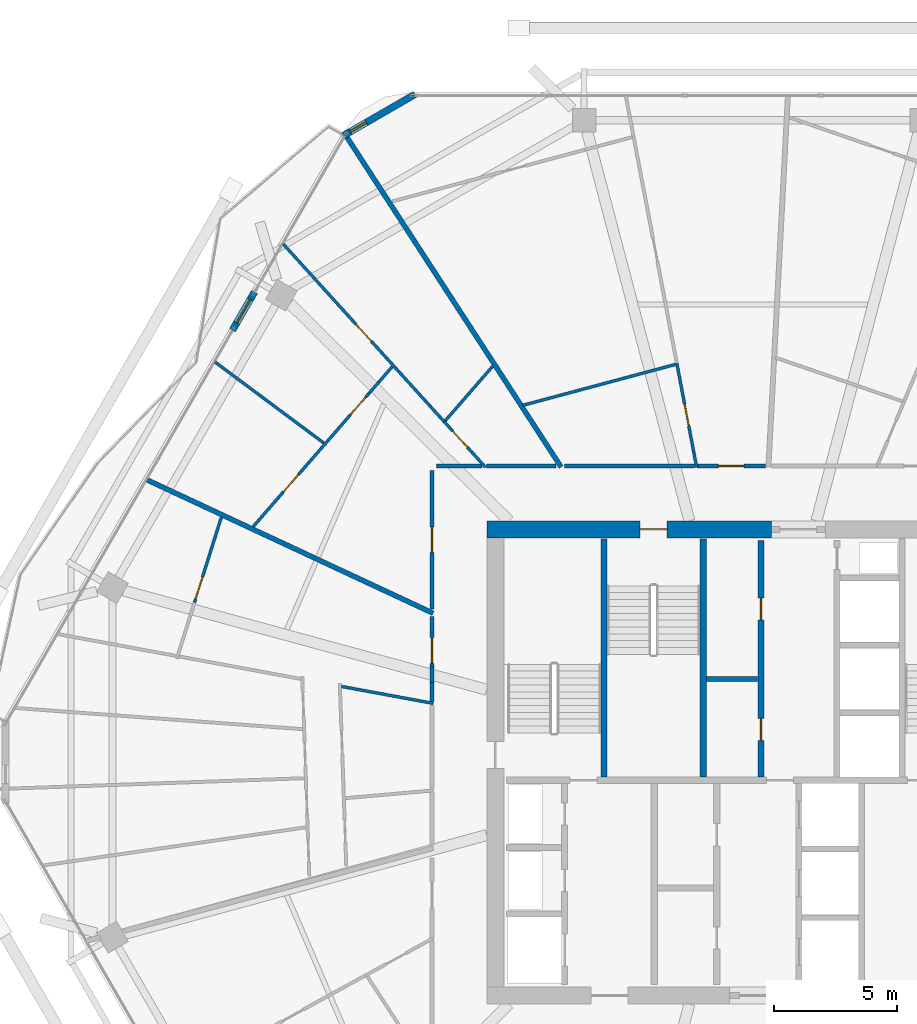
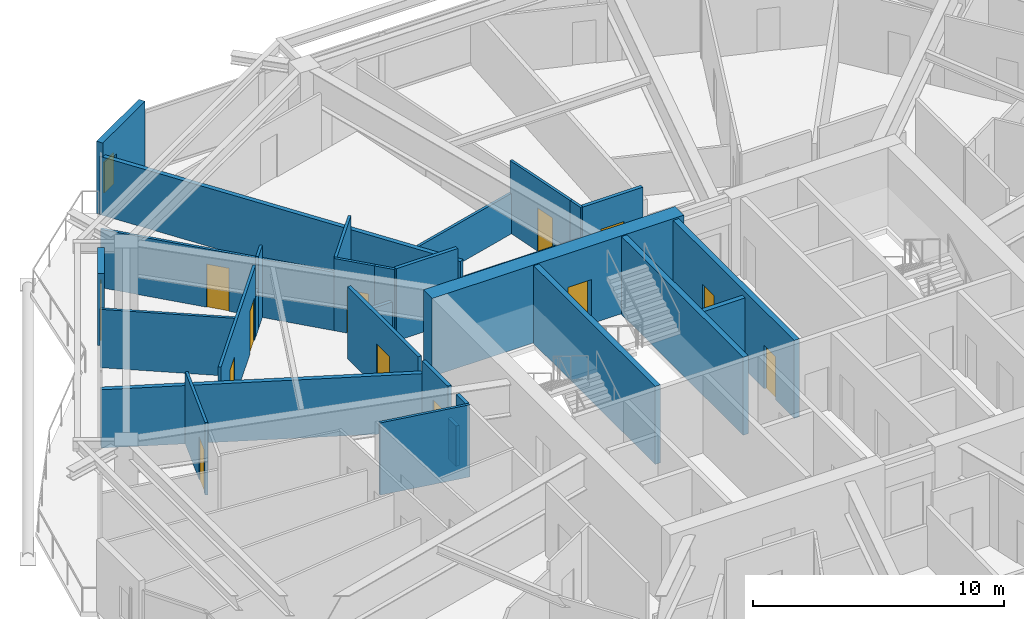
# One storey, part 23 of 28: 30 walls, 13 doors, 1 window, 14 openings.
"""IFC4 building model written with IfcOpenShell, lengths in metres."""

from ifc_helpers import new_model, si_unit, direction, frame, frame_2d, origin, place, context, subcontext, project, spatial, rectangle, extrude, material, layer, layer_set, type_object, element, fill, save


model = new_model("IFC4")

# Units and contexts
model_context = context("Model", 3, precision=1e-05, world=origin(), true_north=direction((0.0, 1.0)))
body_context = subcontext(model_context, "Body", "Model", "MODEL_VIEW")
ifc_project = project(units=[si_unit("LENGTHUNIT", "METRE"), si_unit("AREAUNIT", "SQUARE_METRE"), si_unit("VOLUMEUNIT", "CUBIC_METRE"), si_unit("PLANEANGLEUNIT", "RADIAN"), si_unit("MASSUNIT", "GRAM", prefix="KILO")], contexts=[model_context])

# Site, building, storey
site_placement = place(None, origin())
site = spatial("IfcSite", under=ifc_project, at=site_placement, CompositionType="ELEMENT")
building_placement = place(site_placement, origin())
building = spatial("IfcBuilding", under=site, at=building_placement, Name="Zuhravey Tower", CompositionType="ELEMENT")
storey_placement = place(building_placement, frame((0.0, 0.0, 222.60009765625)))
storey = spatial("IfcBuildingStorey", under=building, at=storey_placement, Name="L56", CompositionType="ELEMENT", Elevation=222.60009765625)

# Wall, opening, door
ifc_material_1 = material(Name="Concrete C60/75", Category="concrete")
ifc_layer_1 = layer(ifc_material_1, 0.699951171875)
ifc_layer_set_1 = layer_set([ifc_layer_1], Name="Concrete C60/75")
wall_type_1 = type_object("IfcWallType", Name="Core Shear Wall 700", PredefinedType="SHEAR", material=ifc_layer_set_1)
wall_1_placement = place(storey_placement, frame((36.75, 41.5, 0.0), z_axis=(0.0, 0.0, 1.0), x_axis=(-1.0, 0.0, 0.0)))
wall_1 = element("IfcWall", 1, at=wall_1_placement, inside=storey, type_object=wall_type_1, Name="L56 North-West Core Shear Wall CW70", PredefinedType="SHEAR", context=body_context, shape_type="SweptSolid", body=[
    extrude(rectangle(XDim=11.60009765625, YDim=0.699951171875, at=frame_2d((5.800048828125, 0.0))), origin(), (0.0, 0.0, 1.0), 3.7998046875),
])
opening_1_placement = place(wall_1_placement, frame((4.25, 0.0, 0.0)))
opening_1 = element("IfcOpeningElement", 2, at=opening_1_placement, cuts=wall_1, Name="Opening STD1", PredefinedType="OPENING", context=body_context, shape_type="SweptSolid", body=[
    extrude(rectangle(XDim=1.10009765625, YDim=2.14990234375, at=frame_2d((0.550048828125, 1.074951171875))), frame((0.0, 0.362060546875, 0.0), z_axis=(0.0, -1.0, 0.0), x_axis=(1.0, 0.0, 0.0)), (0.0, 0.0, 1.0), 0.723876953125),
])
ifc_material_2 = material(Name="Galvanised fire-rated steel leaf", Category="steel")
door_type_1 = type_object("IfcDoorType", Name="Protected Stair Fire Door 1100x2150", OperationType="NOTDEFINED", PredefinedType="USERDEFINED", material=ifc_material_2)
door_1_placement = place(opening_1_placement, origin())
door_1 = element("IfcDoor", 3, at=door_1_placement, inside=storey, type_object=door_type_1, Name="L56 Stair ST3 Door", ObjectType="EXITDOOR", OperationType="SINGLE_SWING_LEFT", OverallHeight=2.14990234375, OverallWidth=1.10009765625, PredefinedType="USERDEFINED", context=body_context, shape_type="SweptSolid", body=[
    extrude(rectangle(XDim=1.10009765625, YDim=2.14990234375, at=frame_2d((0.550048828125, 1.074951171875))), frame((0.0, 0.02490234375, 0.0), z_axis=(0.0, -1.0, 0.0), x_axis=(1.0, 0.0, 0.0)), (0.0, 0.0, 1.0), 0.050048828125),
])
fill(opening_1, door_1)

ifc_material_3 = material(Name="Gypsum fire-rated stud partition")
ifc_layer_2 = layer(ifc_material_3, 0.159912109375)
ifc_layer_set_2 = layer_set([ifc_layer_2], Name="Gypsum fire-rated stud partition")
wall_type_2 = type_object("IfcWallType", Name="Corridor Fire Partition 160", PredefinedType="PARTITIONING", material=ifc_layer_set_2)
wall_2_placement = place(storey_placement, frame((36.50732421875, 44.080078125, 0.0), z_axis=(0.0, 0.0, 1.0), x_axis=(-1.0, 0.0, 0.0)))
wall_2 = element("IfcWall", 4, at=wall_2_placement, inside=storey, type_object=wall_type_2, Name="L56 IW16 Partition 035", PredefinedType="PARTITIONING", context=body_context, shape_type="SweptSolid", body=[
    extrude(rectangle(XDim=2.791259765625, YDim=0.159912109375, at=frame_2d((1.3955078125, 0.0))), origin(), (0.0, 0.0, 1.0), 3.52001953125),
])
opening_2_placement = place(wall_2_placement, frame((0.87060546875, 0.0, 0.0)))
opening_2 = element("IfcOpeningElement", 5, at=opening_2_placement, cuts=wall_2, Name="Opening APD1", PredefinedType="OPENING", context=body_context, shape_type="SweptSolid", body=[
    extrude(rectangle(XDim=1.050048828125, YDim=2.14990234375, at=frame_2d((0.52490234375, 1.074951171875))), frame((0.0, 0.092041015625, 0.0), z_axis=(0.0, -1.0, 0.0), x_axis=(1.0, 0.0, 0.0)), (0.0, 0.0, 1.0), 0.183837890625),
])
ifc_material_4 = material(Name="Solid-core oak fire-rated leaf")
door_type_2 = type_object("IfcDoorType", Name="Apartment Entrance Fire Door 1050x2150", OperationType="NOTDEFINED", PredefinedType="DOOR", material=ifc_material_4)
door_2_placement = place(opening_2_placement, frame((1.050048828125, 0.0, 0.0), z_axis=(0.0, 0.0, 1.0), x_axis=(-1.0, 0.0, 0.0)))
door_2 = element("IfcDoor", 6, at=door_2_placement, inside=storey, type_object=door_type_2, Name="L56 Door 035.1", OperationType="SINGLE_SWING_LEFT", OverallHeight=2.14990234375, OverallWidth=1.050048828125, PredefinedType="DOOR", context=body_context, shape_type="SweptSolid", body=[
    extrude(rectangle(XDim=1.050048828125, YDim=2.14990234375, at=frame_2d((0.52490234375, 1.074951171875))), frame((0.0, 0.02490234375, 0.0), z_axis=(0.0, -1.0, 0.0), x_axis=(1.0, 0.0, 0.0)), (0.0, 0.0, 1.0), 0.050048828125),
])
fill(opening_2, door_2)

wall_3_placement = place(storey_placement, frame((22.919921875, 43.89990234375, 0.0), z_axis=(0.0, 0.0, 1.0), x_axis=(0.0, -1.0, 0.0)))
wall_3 = element("IfcWall", 7, at=wall_3_placement, inside=storey, type_object=wall_type_2, Name="L56 IW16 Partition 039", PredefinedType="PARTITIONING", context=body_context, shape_type="SweptSolid", body=[
    extrude(rectangle(XDim=5.638916015625, YDim=0.159912109375, at=frame_2d((2.8193359375, 0.0))), origin(), (0.0, 0.0, 1.0), 3.52001953125),
])
opening_3_placement = place(wall_3_placement, frame((2.29443359375, 0.0, 0.0)))
opening_3 = element("IfcOpeningElement", 8, at=opening_3_placement, cuts=wall_3, Name="Opening APD1", PredefinedType="OPENING", context=body_context, shape_type="SweptSolid", body=[
    extrude(rectangle(XDim=1.050048828125, YDim=2.14990234375, at=frame_2d((0.52490234375, 1.074951171875))), frame((0.0, 0.092041015625, 0.0), z_axis=(0.0, -1.0, 0.0), x_axis=(1.0, 0.0, 0.0)), (0.0, 0.0, 1.0), 0.183837890625),
])
door_3_placement = place(opening_3_placement, frame((1.050048828125, 0.0, 0.0), z_axis=(0.0, 0.0, 1.0), x_axis=(-1.0, 0.0, 0.0)))
door_3 = element("IfcDoor", 9, at=door_3_placement, inside=storey, type_object=door_type_2, Name="L56 Door 039.1", OperationType="SINGLE_SWING_RIGHT", OverallHeight=2.14990234375, OverallWidth=1.050048828125, PredefinedType="DOOR", context=body_context, shape_type="SweptSolid", body=[
    extrude(rectangle(XDim=1.050048828125, YDim=2.14990234375, at=frame_2d((0.52490234375, 1.074951171875))), frame((0.0, 0.02490234375, 0.0), z_axis=(0.0, -1.0, 0.0), x_axis=(1.0, 0.0, 0.0)), (0.0, 0.0, 1.0), 0.050048828125),
])
fill(opening_3, door_3)

wall_4_placement = place(storey_placement, frame((22.919921875, 37.93896484375, 0.0), z_axis=(0.0, 0.0, 1.0), x_axis=(0.0, -1.0, 0.0)))
wall_4 = element("IfcWall", 10, at=wall_4_placement, inside=storey, type_object=wall_type_2, Name="L56 IW16 Partition 043", PredefinedType="PARTITIONING", context=body_context, shape_type="SweptSolid", body=[
    extrude(rectangle(XDim=2.046142578125, YDim=0.159912109375, at=frame_2d((1.02294921875, 0.0))), origin(), (0.0, 0.0, 1.0), 3.52001953125),
])
opening_4_placement = place(wall_4_placement, frame((0.856201171875, 0.0, 0.0)))
opening_4 = element("IfcOpeningElement", 11, at=opening_4_placement, cuts=wall_4, Name="Opening APD1", PredefinedType="OPENING", context=body_context, shape_type="SweptSolid", body=[
    extrude(rectangle(XDim=1.050048828125, YDim=2.14990234375, at=frame_2d((0.52490234375, 1.074951171875))), frame((0.0, 0.092041015625, 0.0), z_axis=(0.0, -1.0, 0.0), x_axis=(1.0, 0.0, 0.0)), (0.0, 0.0, 1.0), 0.183837890625),
])
door_4_placement = place(opening_4_placement, frame((1.050048828125, 0.0, 0.0), z_axis=(0.0, 0.0, 1.0), x_axis=(-1.0, 0.0, 0.0)))
door_4 = element("IfcDoor", 12, at=door_4_placement, inside=storey, type_object=door_type_2, Name="L56 Door 043.1", OperationType="SINGLE_SWING_RIGHT", OverallHeight=2.14990234375, OverallWidth=1.050048828125, PredefinedType="DOOR", context=body_context, shape_type="SweptSolid", body=[
    extrude(rectangle(XDim=1.050048828125, YDim=2.14990234375, at=frame_2d((0.52490234375, 1.074951171875))), frame((0.0, 0.02490234375, 0.0), z_axis=(0.0, -1.0, 0.0), x_axis=(1.0, 0.0, 0.0)), (0.0, 0.0, 1.0), 0.050048828125),
])
fill(opening_4, door_4)

# Walls
wall_5_placement = place(storey_placement, frame((22.919921875, 35.892822265625, 0.0), z_axis=(0.0, 0.0, 1.0), x_axis=(0.0, -1.0, 0.0)))
element("IfcWall", 13, at=wall_5_placement, inside=storey, type_object=wall_type_2, Name="L56 IW16 Partition 105", PredefinedType="PARTITIONING", context=body_context, shape_type="SweptSolid", body=[
    extrude(rectangle(XDim=0.644775390625, YDim=0.159912109375, at=frame_2d((0.322265625, 0.0))), origin(), (0.0, 0.0, 1.0), 1.969970703125),
])
wall_6_placement = place(storey_placement, frame((22.919921875, 35.248046875, 0.0), z_axis=(0.0, 0.0, 1.0), x_axis=(0.0, -1.0, 0.0)))
element("IfcWall", 14, at=wall_6_placement, inside=storey, type_object=wall_type_2, Name="L56 IW16 Partition 106", PredefinedType="PARTITIONING", context=body_context, shape_type="SweptSolid", body=[
    extrude(rectangle(XDim=0.76416015625, YDim=0.159912109375, at=frame_2d((0.382080078125, 0.0))), origin(), (0.0, 0.0, 1.0), 3.52001953125),
])
wall_7_placement = place(storey_placement, frame((33.62646484375, 44.080078125, 0.0), z_axis=(0.0, 0.0, 1.0), x_axis=(-1.0, 0.0, 0.0)))
element("IfcWall", 15, at=wall_7_placement, inside=storey, type_object=wall_type_2, Name="L56 IW16 Partition 136", PredefinedType="PARTITIONING", context=body_context, shape_type="SweptSolid", body=[
    extrude(rectangle(XDim=5.298583984375, YDim=0.159912109375, at=frame_2d((2.6494140625, 0.0))), origin(), (0.0, 0.0, 1.0), 1.969970703125),
])
wall_8_placement = place(storey_placement, frame((24.96240234375, 44.080078125, 0.0), z_axis=(0.0, 0.0, 1.0), x_axis=(-1.0, 0.0, 0.0)))
element("IfcWall", 16, at=wall_8_placement, inside=storey, type_object=wall_type_2, Name="L56 IW16 Partition 137", PredefinedType="PARTITIONING", context=body_context, shape_type="SweptSolid", body=[
    extrude(rectangle(XDim=1.8623046875, YDim=0.159912109375, at=frame_2d((0.93115234375, 0.0))), origin(), (0.0, 0.0, 1.0), 1.969970703125),
])
wall_9_placement = place(storey_placement, frame((27.98046875, 44.080078125, 0.0), z_axis=(0.0, 0.0, 1.0), x_axis=(-1.0, 0.0, 0.0)))
element("IfcWall", 17, at=wall_9_placement, inside=storey, type_object=wall_type_2, Name="L56 IW16 Partition 138", PredefinedType="PARTITIONING", context=body_context, shape_type="SweptSolid", body=[
    extrude(rectangle(XDim=2.835693359375, YDim=0.159912109375, at=frame_2d((1.41796875, 0.0))), origin(), (0.0, 0.0, 1.0), 3.52001953125),
])

# Wall, opening, door
ifc_material_5 = material(Name="Precast concrete C40/50", Category="concrete")
ifc_layer_3 = layer(ifc_material_5, 0.280029296875)
ifc_layer_set_3 = layer_set([ifc_layer_3], Name="Precast concrete C40/50")
wall_type_3 = type_object("IfcWallType", Name="Crown Architectural Wall 280", PredefinedType="SOLIDWALL", material=ifc_layer_set_3)
wall_10_placement = place(storey_placement, frame((14.784912109375, 49.620361328125, 0.0), z_axis=(0.0, 0.0, 1.0), x_axis=(0.49987987985, 0.866094744079, 0.0)))
wall_10 = element("IfcWall", 18, at=wall_10_placement, inside=storey, type_object=wall_type_3, Name="L56 Face 3 Facade Pier EW28-1", PredefinedType="SOLIDWALL", context=body_context, shape_type="SweptSolid", body=[
    extrude(rectangle(XDim=1.7900390625, YDim=0.280029296875, at=frame_2d((0.89501953125, 0.0))), origin(), (0.0, 0.0, 1.0), 3.52001953125),
])
opening_5_placement = place(wall_10_placement, frame((0.344970703125, 0.0, 0.0)))
opening_5 = element("IfcOpeningElement", 19, at=opening_5_placement, cuts=wall_10, Name="Opening BLD1", PredefinedType="OPENING", context=body_context, shape_type="SweptSolid", body=[
    extrude(rectangle(XDim=1.10009765625, YDim=2.199951171875, at=frame_2d((0.550048828125, 1.10009765625))), frame((0.0, 0.152099609375, 0.0), z_axis=(0.0, -1.0, 0.0), x_axis=(1.0, 0.0, 0.0)), (0.0, 0.0, 1.0), 0.303955078125),
])
ifc_material_6 = material(Name="Thermally broken aluminium and low-E glass", Category="aluminium")
door_type_3 = type_object("IfcDoorType", Name="Balcony & Sky-Tray Glazed Door 1100x2200", OperationType="NOTDEFINED", PredefinedType="DOOR", material=ifc_material_6)
door_5_placement = place(opening_5_placement, frame((1.10009765625, 0.0, 0.0), z_axis=(0.0, 0.0, 1.0), x_axis=(-1.0, 0.0, 0.0)))
door_5 = element("IfcDoor", 20, at=door_5_placement, inside=storey, type_object=door_type_3, Name="L56 Face 3 Wave Balcony Door", OperationType="SINGLE_SWING_RIGHT", OverallHeight=2.199951171875, OverallWidth=1.10009765625, PredefinedType="DOOR", context=body_context, shape_type="SweptSolid", body=[
    extrude(rectangle(XDim=1.10009765625, YDim=2.199951171875, at=frame_2d((0.550048828125, 1.10009765625))), frame((0.0, 0.02490234375, 0.0), z_axis=(0.0, -1.0, 0.0), x_axis=(1.0, 0.0, 0.0)), (0.0, 0.0, 1.0), 0.050048828125),
])
fill(opening_5, door_5)

# Wall, opening, window
wall_11_placement = place(storey_placement, frame((19.306884765625, 57.548095703125, 0.0), z_axis=(0.0, 0.0, 1.0), x_axis=(0.866020068361, 0.500009241111, 0.0)))
wall_11 = element("IfcWall", 21, at=wall_11_placement, inside=storey, type_object=wall_type_3, Name="L56 Rounded Corner Closure Wall EW28-08", PredefinedType="SOLIDWALL", context=body_context, shape_type="SweptSolid", body=[
    extrude(rectangle(XDim=3.365234375, YDim=0.280029296875, at=frame_2d((1.6826171875, 0.0))), origin(), (0.0, 0.0, 1.0), 3.52001953125),
])
opening_6_placement = place(wall_11_placement, frame((0.326416015625, 0.0, 0.85009765625)))
opening_6 = element("IfcOpeningElement", 22, at=opening_6_placement, cuts=wall_11, Name="Opening WN5", PredefinedType="OPENING", context=body_context, shape_type="SweptSolid", body=[
    extrude(rectangle(XDim=0.75, YDim=1.5, at=frame_2d((0.375, 0.75))), frame((0.0, 0.152099609375, 0.0), z_axis=(0.0, -1.0, 0.0), x_axis=(1.0, 0.0, 0.0)), (0.0, 0.0, 1.0), 0.303955078125),
])
ifc_material_7 = material(Name="Thermally broken aluminium and triple low-E glass", Category="aluminium")
window_type = type_object("IfcWindowType", Name="Residential Corner Casement Window 750x1500", PartitioningType="SINGLE_PANEL", PredefinedType="WINDOW", material=ifc_material_7)
window_placement = place(opening_6_placement, origin())
window = element("IfcWindow", 23, at=window_placement, inside=storey, type_object=window_type, Name="L56 Corner Casement Window WN5-08.1", OverallHeight=1.5, OverallWidth=0.75, PartitioningType="SINGLE_PANEL", PredefinedType="WINDOW", context=body_context, shape_type="SweptSolid", body=[
    extrude(rectangle(XDim=0.75, YDim=1.5, at=frame_2d((0.375, 0.75))), frame((0.0, 0.030029296875, 0.0), z_axis=(0.0, -1.0, 0.0), x_axis=(1.0, 0.0, 0.0)), (0.0, 0.0, 1.0), 0.06005859375),
])
fill(opening_6, window)

# Walls
ifc_material_8 = material(Name="Concrete C50/60", Category="concrete")
ifc_layer_4 = layer(ifc_material_8, 0.25)
ifc_layer_set_4 = layer_set([ifc_layer_4], Name="Concrete C50/60")
wall_type_4 = type_object("IfcWallType", Name="Firefighting Shaft & Stair Wall 250", PredefinedType="SOLIDWALL", material=ifc_layer_set_4)
for number, where, z_axis, x_axis, name in (
    (24, (29.925048828125, 31.39990234375, 0.0), (0.0, 0.0, 1.0), (0.0, 1.0, 0.0), "L56 FW25 Shaft Wall 004"),
    (25, (33.97509765625, 31.39990234375, 0.0), (0.0, 0.0, 1.0), (0.0, 1.0, 0.0), "L56 FW25 Shaft Wall 005"),
):
    element("IfcWall", number, at=place(storey_placement, frame(where, z_axis=z_axis, x_axis=x_axis)), inside=storey, type_object=wall_type_4, Name=name, PredefinedType="SOLIDWALL", context=body_context, shape_type="SweptSolid", body=[
        extrude(rectangle(XDim=9.7001953125, YDim=0.25, at=frame_2d((4.85009765625, 0.0))), origin(), (0.0, 0.0, 1.0), 3.7998046875),
    ])

# Wall, openings, doors
wall_12_placement = place(storey_placement, frame((36.324951171875, 31.39990234375, 0.0), z_axis=(0.0, 0.0, 1.0), x_axis=(0.0, 1.0, 0.0)))
wall_12 = element("IfcWall", 26, at=wall_12_placement, inside=storey, type_object=wall_type_4, Name="L56 FW25 Shaft Wall 007", PredefinedType="SOLIDWALL", context=body_context, shape_type="SweptSolid", body=[
    extrude(rectangle(XDim=9.650146484375, YDim=0.25, at=frame_2d((4.8251953125, 0.0))), origin(), (0.0, 0.0, 1.0), 3.7998046875),
])
opening_7_placement = place(wall_12_placement, frame((1.489990234375, 0.0, 0.0)))
opening_7 = element("IfcOpeningElement", 27, at=opening_7_placement, cuts=wall_12, Name="Opening RSD1", PredefinedType="OPENING", context=body_context, shape_type="SweptSolid", body=[
    extrude(rectangle(XDim=0.89990234375, YDim=2.10009765625, at=frame_2d((0.449951171875, 1.050048828125))), frame((0.0, 0.136962890625, 0.0), z_axis=(0.0, -1.0, 0.0), x_axis=(1.0, 0.0, 0.0)), (0.0, 0.0, 1.0), 0.27392578125),
])
opening_8_placement = place(wall_12_placement, frame((6.409912109375, 0.0, 0.0)))
opening_8 = element("IfcOpeningElement", 28, at=opening_8_placement, cuts=wall_12, Name="Opening RSD1", PredefinedType="OPENING", context=body_context, shape_type="SweptSolid", body=[
    extrude(rectangle(XDim=0.89990234375, YDim=2.10009765625, at=frame_2d((0.449951171875, 1.050048828125))), frame((0.0, 0.136962890625, 0.0), z_axis=(0.0, -1.0, 0.0), x_axis=(1.0, 0.0, 0.0)), (0.0, 0.0, 1.0), 0.27392578125),
])
ifc_material_9 = material(Name="Galvanised fire-rated steel access leaf", Category="steel")
door_type_4 = type_object("IfcDoorType", Name="Riser & Shaft Access Fire Door 900x2100", OperationType="NOTDEFINED", PredefinedType="DOOR", material=ifc_material_9)
door_6_placement = place(opening_7_placement, origin())
door_6 = element("IfcDoor", 29, at=door_6_placement, inside=storey, type_object=door_type_4, Name="L56 Core Cleaner Store Door", OperationType="SINGLE_SWING_LEFT", OverallHeight=2.10009765625, OverallWidth=0.89990234375, PredefinedType="DOOR", context=body_context, shape_type="SweptSolid", body=[
    extrude(rectangle(XDim=0.89990234375, YDim=2.10009765625, at=frame_2d((0.449951171875, 1.050048828125))), frame((0.0, 0.02490234375, 0.0), z_axis=(0.0, -1.0, 0.0), x_axis=(1.0, 0.0, 0.0)), (0.0, 0.0, 1.0), 0.050048828125),
])
fill(opening_7, door_6)
door_7_placement = place(opening_8_placement, origin())
door_7 = element("IfcDoor", 30, at=door_7_placement, inside=storey, type_object=door_type_4, Name="L56 Core Pantry and Tea Room Door", OperationType="SINGLE_SWING_RIGHT", OverallHeight=2.10009765625, OverallWidth=0.89990234375, PredefinedType="DOOR", context=body_context, shape_type="SweptSolid", body=[
    extrude(rectangle(XDim=0.89990234375, YDim=2.10009765625, at=frame_2d((0.449951171875, 1.050048828125))), frame((0.0, 0.02490234375, 0.0), z_axis=(0.0, -1.0, 0.0), x_axis=(1.0, 0.0, 0.0)), (0.0, 0.0, 1.0), 0.050048828125),
])
fill(opening_8, door_7)

# Walls
ifc_material_10 = material(Name="Gypsum double-stud party assembly")
ifc_layer_5 = layer(ifc_material_10, 0.199951171875)
ifc_layer_set_5 = layer_set([ifc_layer_5], Name="Gypsum double-stud party assembly")
wall_type_5 = type_object("IfcWallType", Name="Inter-Tenancy Party Wall 200", PredefinedType="PARTITIONING", material=ifc_layer_set_5)
wall_13_placement = place(storey_placement, frame((28.18115234375, 44.0400390625, 0.0), z_axis=(0.0, 0.0, 1.0), x_axis=(-0.54463871909, 0.838670773109, 0.0)))
element("IfcWall", 31, at=wall_13_placement, inside=storey, type_object=wall_type_5, Name="L56 IW20 Partition 089", PredefinedType="PARTITIONING", context=body_context, shape_type="SweptSolid", body=[
    extrude(rectangle(XDim=16.152099609375, YDim=0.199951171875, at=frame_2d((8.076171875, 0.0))), origin(), (0.0, 0.0, 1.0), 2.83984375),
])
wall_14_placement = place(storey_placement, frame((22.9599609375, 38.080810546875, 0.0), z_axis=(0.0, 0.0, 1.0), x_axis=(-0.906312686975, 0.422607753629, 0.0)))
element("IfcWall", 32, at=wall_14_placement, inside=storey, type_object=wall_type_5, Name="L56 IW20 Partition 095", PredefinedType="PARTITIONING", context=body_context, shape_type="SweptSolid", body=[
    extrude(rectangle(XDim=12.89892578125, YDim=0.199951171875, at=frame_2d((6.449462890625, 0.0))), origin(), (0.0, 0.0, 1.0), 2.83984375),
])
ifc_material_11 = material(Name="Gypsum acoustic stud assembly")
ifc_layer_6 = layer(ifc_material_11, 0.219970703125)
ifc_layer_set_6 = layer_set([ifc_layer_6], Name="Gypsum acoustic stud assembly")
wall_type_6 = type_object("IfcWallType", Name="School Acoustic Compartment Wall 220", PredefinedType="PARTITIONING", material=ifc_layer_set_6)
wall_15_placement = place(storey_placement, frame((34.10791015625, 35.39990234375, 0.0), z_axis=(0.0, 0.0, 1.0), x_axis=(1.0, 0.0, 0.0)))
element("IfcWall", 33, at=wall_15_placement, inside=storey, type_object=wall_type_6, Name="L56 IW22 Partition 063", PredefinedType="PARTITIONING", context=body_context, shape_type="SweptSolid", body=[
    extrude(rectangle(XDim=2.083984375, YDim=0.219970703125, at=frame_2d((1.0419921875, 0.0))), origin(), (0.0, 0.0, 1.0), 3.52001953125),
])

# Wall, opening, door
ifc_material_12 = material(Name="Gypsum metal-stud partition")
ifc_layer_7 = layer(ifc_material_12, 0.1201171875)
ifc_layer_set_7 = layer_set([ifc_layer_7], Name="Gypsum metal-stud partition")
wall_type_7 = type_object("IfcWallType", Name="Unit Internal Partition 120", PredefinedType="PARTITIONING", material=ifc_layer_set_7)
wall_16_placement = place(storey_placement, frame((33.5869140625, 44.64990234375, 0.0), z_axis=(0.0, 0.0, 1.0), x_axis=(-0.187380416109, 0.982287422122, 0.0)))
wall_16 = element("IfcWall", 34, at=wall_16_placement, inside=storey, type_object=wall_type_7, Name="L56 IW12 Partition 032", PredefinedType="PARTITIONING", context=body_context, shape_type="SweptSolid", body=[
    extrude(rectangle(XDim=3.679443359375, YDim=0.1201171875, at=frame_2d((1.83984375, 0.0))), origin(), (0.0, 0.0, 1.0), 3.52001953125),
])
opening_9_placement = place(wall_16_placement, frame((1.09521484375, 0.0, 0.0)))
opening_9 = element("IfcOpeningElement", 35, at=opening_9_placement, cuts=wall_16, Name="Opening WCD1", PredefinedType="OPENING", context=body_context, shape_type="SweptSolid", body=[
    extrude(rectangle(XDim=0.89990234375, YDim=2.10009765625, at=frame_2d((0.449951171875, 1.050048828125))), frame((0.0, 0.072021484375, 0.0), z_axis=(0.0, -1.0, 0.0), x_axis=(1.0, 0.0, 0.0)), (0.0, 0.0, 1.0), 0.14404296875),
])
ifc_material_13 = material(Name="Moisture-resistant timber leaf", Category="wood")
door_type_5 = type_object("IfcDoorType", Name="Bathroom & WC Internal Door 900x2100", OperationType="NOTDEFINED", PredefinedType="DOOR", material=ifc_material_13)
door_8_placement = place(opening_9_placement, origin())
door_8 = element("IfcDoor", 36, at=door_8_placement, inside=storey, type_object=door_type_5, Name="Apartment L56-03 Bathroom Door", OperationType="SINGLE_SWING_RIGHT", OverallHeight=2.10009765625, OverallWidth=0.89990234375, PredefinedType="DOOR", context=body_context, shape_type="SweptSolid", body=[
    extrude(rectangle(XDim=0.89990234375, YDim=2.10009765625, at=frame_2d((0.449951171875, 1.050048828125))), frame((0.0, 0.02490234375, 0.0), z_axis=(0.0, -1.0, 0.0), x_axis=(1.0, 0.0, 0.0)), (0.0, 0.0, 1.0), 0.050048828125),
])
fill(opening_9, door_8)

# Wall, openings, doors
wall_17_placement = place(storey_placement, frame((20.370361328125, 47.066162109375, 0.0), z_axis=(0.0, 0.0, 1.0), x_axis=(-0.65605168131, -0.754715967401, 0.0)))
wall_17 = element("IfcWall", 37, at=wall_17_placement, inside=storey, type_object=wall_type_7, Name="L56 IW12 Partition 036", PredefinedType="PARTITIONING", context=body_context, shape_type="SweptSolid", body=[
    extrude(rectangle(XDim=7.23291015625, YDim=0.1201171875, at=frame_2d((3.616455078125, 0.0))), origin(), (0.0, 0.0, 1.0), 3.52001953125),
])
opening_10_placement = place(wall_17_placement, frame((0.23779296875, 0.0, 0.0)))
opening_10 = element("IfcOpeningElement", 38, at=opening_10_placement, cuts=wall_17, Name="Opening IND1", PredefinedType="OPENING", context=body_context, shape_type="SweptSolid", body=[
    extrude(rectangle(XDim=0.949951171875, YDim=2.10009765625, at=frame_2d((0.47509765625, 1.050048828125))), frame((0.0, 0.072021484375, 0.0), z_axis=(0.0, -1.0, 0.0), x_axis=(1.0, 0.0, 0.0)), (0.0, 0.0, 1.0), 0.14404296875),
])
opening_11_placement = place(wall_17_placement, frame((4.40234375, 0.0, 0.0)))
opening_11 = element("IfcOpeningElement", 39, at=opening_11_placement, cuts=wall_17, Name="Opening IND1", PredefinedType="OPENING", context=body_context, shape_type="SweptSolid", body=[
    extrude(rectangle(XDim=0.949951171875, YDim=2.10009765625, at=frame_2d((0.47509765625, 1.050048828125))), frame((0.0, 0.072021484375, 0.0), z_axis=(0.0, -1.0, 0.0), x_axis=(1.0, 0.0, 0.0)), (0.0, 0.0, 1.0), 0.14404296875),
])
ifc_material_14 = material(Name="Painted engineered timber leaf", Category="wood")
door_type_6 = type_object("IfcDoorType", Name="Internal Room & Bedroom Door 950x2100", OperationType="NOTDEFINED", PredefinedType="DOOR", material=ifc_material_14)
door_9_placement = place(opening_10_placement, frame((0.949951171875, 0.0, 0.0), z_axis=(0.0, 0.0, 1.0), x_axis=(-1.0, 0.0, 0.0)))
door_9 = element("IfcDoor", 40, at=door_9_placement, inside=storey, type_object=door_type_6, Name="Apartment L56-04 Family Study Door", OperationType="SINGLE_SWING_RIGHT", OverallHeight=2.10009765625, OverallWidth=0.949951171875, PredefinedType="DOOR", context=body_context, shape_type="SweptSolid", body=[
    extrude(rectangle(XDim=0.949951171875, YDim=2.10009765625, at=frame_2d((0.47509765625, 1.050048828125))), frame((0.0, 0.02490234375, 0.0), z_axis=(0.0, -1.0, 0.0), x_axis=(1.0, 0.0, 0.0)), (0.0, 0.0, 1.0), 0.050048828125),
])
fill(opening_10, door_9)
door_10_placement = place(opening_11_placement, frame((0.949951171875, 0.0, 0.0), z_axis=(0.0, 0.0, 1.0), x_axis=(-1.0, 0.0, 0.0)))
door_10 = element("IfcDoor", 41, at=door_10_placement, inside=storey, type_object=door_type_6, Name="Apartment L56-04 Dining Room Door", OperationType="SINGLE_SWING_LEFT", OverallHeight=2.10009765625, OverallWidth=0.949951171875, PredefinedType="DOOR", context=body_context, shape_type="SweptSolid", body=[
    extrude(rectangle(XDim=0.949951171875, YDim=2.10009765625, at=frame_2d((0.47509765625, 1.050048828125))), frame((0.0, 0.02490234375, 0.0), z_axis=(0.0, -1.0, 0.0), x_axis=(1.0, 0.0, 0.0)), (0.0, 0.0, 1.0), 0.050048828125),
])
fill(opening_11, door_10)

# Wall, opening, door
wall_18_placement = place(storey_placement, frame((24.53759765625, 44.64990234375, 0.0), z_axis=(0.0, 0.0, 1.0), x_axis=(-0.671412772052, 0.741083591456, 0.0)))
wall_18 = element("IfcWall", 42, at=wall_18_placement, inside=storey, type_object=wall_type_7, Name="L56 IW12 Partition 037", PredefinedType="PARTITIONING", context=body_context, shape_type="SweptSolid", body=[
    extrude(rectangle(XDim=1.68896484375, YDim=0.1201171875, at=frame_2d((0.844482421875, 0.0))), origin(), (0.0, 0.0, 1.0), 3.52001953125),
])
opening_12_placement = place(wall_18_placement, frame((0.259521484375, 0.0, 0.0)))
opening_12 = element("IfcOpeningElement", 43, at=opening_12_placement, cuts=wall_18, Name="Opening WCD1", PredefinedType="OPENING", context=body_context, shape_type="SweptSolid", body=[
    extrude(rectangle(XDim=0.89990234375, YDim=2.10009765625, at=frame_2d((0.449951171875, 1.050048828125))), frame((0.0, 0.072021484375, 0.0), z_axis=(0.0, -1.0, 0.0), x_axis=(1.0, 0.0, 0.0)), (0.0, 0.0, 1.0), 0.14404296875),
])
door_11_placement = place(opening_12_placement, frame((0.89990234375, 0.0, 0.0), z_axis=(0.0, 0.0, 1.0), x_axis=(-1.0, 0.0, 0.0)))
door_11 = element("IfcDoor", 44, at=door_11_placement, inside=storey, type_object=door_type_5, Name="Apartment L56-04 Bathroom Door", OperationType="SINGLE_SWING_RIGHT", OverallHeight=2.10009765625, OverallWidth=0.89990234375, PredefinedType="DOOR", context=body_context, shape_type="SweptSolid", body=[
    extrude(rectangle(XDim=0.89990234375, YDim=2.10009765625, at=frame_2d((0.449951171875, 1.050048828125))), frame((0.0, 0.02490234375, 0.0), z_axis=(0.0, -1.0, 0.0), x_axis=(1.0, 0.0, 0.0)), (0.0, 0.0, 1.0), 0.050048828125),
])
fill(opening_12, door_11)

wall_19_placement = place(storey_placement, frame((23.403564453125, 45.901611328125, 0.0), z_axis=(0.0, 0.0, 1.0), x_axis=(-0.671455295826, 0.74104506321, 0.0)))
wall_19 = element("IfcWall", 45, at=wall_19_placement, inside=storey, type_object=wall_type_7, Name="L56 IW12 Partition 038", PredefinedType="PARTITIONING", context=body_context, shape_type="SweptSolid", body=[
    extrude(rectangle(XDim=9.798583984375, YDim=0.1201171875, at=frame_2d((4.8994140625, 0.0))), origin(), (0.0, 0.0, 1.0), 2.83984375),
])
opening_13_placement = place(wall_19_placement, frame((4.399169921875, 0.0, 0.0)))
opening_13 = element("IfcOpeningElement", 46, at=opening_13_placement, cuts=wall_19, Name="Opening IND1", PredefinedType="OPENING", context=body_context, shape_type="SweptSolid", body=[
    extrude(rectangle(XDim=0.949951171875, YDim=2.10009765625, at=frame_2d((0.47509765625, 1.050048828125))), frame((0.0, 0.072021484375, 0.0), z_axis=(0.0, -1.0, 0.0), x_axis=(1.0, 0.0, 0.0)), (0.0, 0.0, 1.0), 0.14404296875),
])
door_12_placement = place(opening_13_placement, frame((0.949951171875, 0.0, 0.0), z_axis=(0.0, 0.0, 1.0), x_axis=(-1.0, 0.0, 0.0)))
door_12 = element("IfcDoor", 47, at=door_12_placement, inside=storey, type_object=door_type_6, Name="Apartment L56-04 Kitchen Door", OperationType="SINGLE_SWING_LEFT", OverallHeight=2.10009765625, OverallWidth=0.949951171875, PredefinedType="DOOR", context=body_context, shape_type="SweptSolid", body=[
    extrude(rectangle(XDim=0.949951171875, YDim=2.10009765625, at=frame_2d((0.47509765625, 1.050048828125))), frame((0.0, 0.02490234375, 0.0), z_axis=(0.0, -1.0, 0.0), x_axis=(1.0, 0.0, 0.0)), (0.0, 0.0, 1.0), 0.050048828125),
])
fill(opening_13, door_12)

wall_20_placement = place(storey_placement, frame((14.328125, 41.986328125, 0.0), z_axis=(0.0, 0.0, 1.0), x_axis=(-0.300356081916, -0.953827145795, 0.0)))
wall_20 = element("IfcWall", 48, at=wall_20_placement, inside=storey, type_object=wall_type_7, Name="L56 IW12 Partition 040", PredefinedType="PARTITIONING", context=body_context, shape_type="SweptSolid", body=[
    extrude(rectangle(XDim=3.632568359375, YDim=0.1201171875, at=frame_2d((1.81640625, 0.0))), origin(), (0.0, 0.0, 1.0), 3.52001953125),
])
opening_14_placement = place(wall_20_placement, frame((2.54052734375, 0.0, 0.0)))
opening_14 = element("IfcOpeningElement", 49, at=opening_14_placement, cuts=wall_20, Name="Opening IND1", PredefinedType="OPENING", context=body_context, shape_type="SweptSolid", body=[
    extrude(rectangle(XDim=0.949951171875, YDim=2.10009765625, at=frame_2d((0.47509765625, 1.050048828125))), frame((0.0, 0.072021484375, 0.0), z_axis=(0.0, -1.0, 0.0), x_axis=(1.0, 0.0, 0.0)), (0.0, 0.0, 1.0), 0.14404296875),
])
door_13_placement = place(opening_14_placement, frame((0.949951171875, 0.0, 0.0), z_axis=(0.0, 0.0, 1.0), x_axis=(-1.0, 0.0, 0.0)))
door_13 = element("IfcDoor", 50, at=door_13_placement, inside=storey, type_object=door_type_6, Name="Apartment L56-05 Family Study Door", OperationType="SINGLE_SWING_LEFT", OverallHeight=2.10009765625, OverallWidth=0.949951171875, PredefinedType="DOOR", context=body_context, shape_type="SweptSolid", body=[
    extrude(rectangle(XDim=0.949951171875, YDim=2.10009765625, at=frame_2d((0.47509765625, 1.050048828125))), frame((0.0, 0.02490234375, 0.0), z_axis=(0.0, -1.0, 0.0), x_axis=(1.0, 0.0, 0.0)), (0.0, 0.0, 1.0), 0.050048828125),
])
fill(opening_14, door_13)

# Walls
wall_21_placement = place(storey_placement, frame((33.7041015625, 44.035400390625, 0.0), z_axis=(0.0, 0.0, 1.0), x_axis=(-0.187327304351, 0.982297552193, 0.0)))
element("IfcWall", 51, at=wall_21_placement, inside=storey, type_object=wall_type_7, Name="L56 IW12 Partition 084", PredefinedType="PARTITIONING", context=body_context, shape_type="SweptSolid", body=[
    extrude(rectangle(XDim=0.62548828125, YDim=0.1201171875, at=frame_2d((0.312744140625, 0.0))), origin(), (0.0, 0.0, 1.0), 3.52001953125),
])
wall_22_placement = place(storey_placement, frame((32.836181640625, 48.221923828125, 0.0), z_axis=(0.0, 0.0, 1.0), x_axis=(-0.96593063868, -0.258801084347, 0.0)))
element("IfcWall", 52, at=wall_22_placement, inside=storey, type_object=wall_type_7, Name="L56 IW12 Partition 086", PredefinedType="PARTITIONING", context=body_context, shape_type="SweptSolid", body=[
    extrude(rectangle(XDim=6.446044921875, YDim=0.1201171875, at=frame_2d((3.22314453125, 0.0))), origin(), (0.0, 0.0, 1.0), 1.969970703125),
])
wall_23_placement = place(storey_placement, frame((18.503662109375, 45.022216796875, 0.0), z_axis=(0.0, 0.0, 1.0), x_axis=(-0.802181144148, 0.597080741586, 0.0)))
element("IfcWall", 53, at=wall_23_placement, inside=storey, type_object=wall_type_7, Name="L56 IW12 Partition 090", PredefinedType="PARTITIONING", context=body_context, shape_type="SweptSolid", body=[
    extrude(rectangle(XDim=5.58740234375, YDim=0.1201171875, at=frame_2d((2.793701171875, 0.0))), origin(), (0.0, 0.0, 1.0), 2.83984375),
])
wall_24_placement = place(storey_placement, frame((20.760986328125, 47.515380859375, 0.0), z_axis=(0.0, 0.0, 1.0), x_axis=(-0.656178714925, -0.754605522164, 0.0)))
element("IfcWall", 54, at=wall_24_placement, inside=storey, type_object=wall_type_7, Name="L56 IW12 Partition 091", PredefinedType="PARTITIONING", context=body_context, shape_type="SweptSolid", body=[
    extrude(rectangle(XDim=0.59521484375, YDim=0.1201171875, at=frame_2d((0.297607421875, 0.0))), origin(), (0.0, 0.0, 1.0), 1.969970703125),
])
wall_25_placement = place(storey_placement, frame((21.2939453125, 48.128662109375, 0.0), z_axis=(0.0, 0.0, 1.0), x_axis=(-0.655948068227, -0.754806022624, 0.0)))
element("IfcWall", 55, at=wall_25_placement, inside=storey, type_object=wall_type_7, Name="L56 IW12 Partition 092", PredefinedType="PARTITIONING", context=body_context, shape_type="SweptSolid", body=[
    extrude(rectangle(XDim=0.8125, YDim=0.1201171875, at=frame_2d((0.40625, 0.0))), origin(), (0.0, 0.0, 1.0), 3.52001953125),
])
wall_26_placement = place(storey_placement, frame((25.094970703125, 44.034912109375, 0.0), z_axis=(0.0, 0.0, 1.0), x_axis=(-0.671544659746, 0.740964081428, 0.0)))
element("IfcWall", 56, at=wall_26_placement, inside=storey, type_object=wall_type_7, Name="L56 IW12 Partition 093", PredefinedType="PARTITIONING", context=body_context, shape_type="SweptSolid", body=[
    extrude(rectangle(XDim=0.830078125, YDim=0.1201171875, at=frame_2d((0.4150390625, 0.0))), origin(), (0.0, 0.0, 1.0), 3.52001953125),
])
wall_27_placement = place(storey_placement, frame((25.38671875, 48.14501953125, 0.0), z_axis=(0.0, 0.0, 1.0), x_axis=(-0.656075513179, -0.75469525042, 0.0)))
element("IfcWall", 57, at=wall_27_placement, inside=storey, type_object=wall_type_7, Name="L56 IW12 Partition 094", PredefinedType="PARTITIONING", context=body_context, shape_type="SweptSolid", body=[
    extrude(rectangle(XDim=2.9287109375, YDim=0.1201171875, at=frame_2d((1.46435546875, 0.0))), origin(), (0.0, 0.0, 1.0), 3.52001953125),
])
wall_28_placement = place(storey_placement, frame((22.969970703125, 34.405517578125, 0.0), z_axis=(0.0, 0.0, 1.0), x_axis=(-0.983380239975, 0.181557989708, 0.0)))
element("IfcWall", 58, at=wall_28_placement, inside=storey, type_object=wall_type_7, Name="L56 IW12 Partition 102", PredefinedType="PARTITIONING", context=body_context, shape_type="SweptSolid", body=[
    extrude(rectangle(XDim=3.801513671875, YDim=0.1201171875, at=frame_2d((1.90087890625, 0.0))), origin(), (0.0, 0.0, 1.0), 3.52001953125),
])

save(model, "model.ifc")
